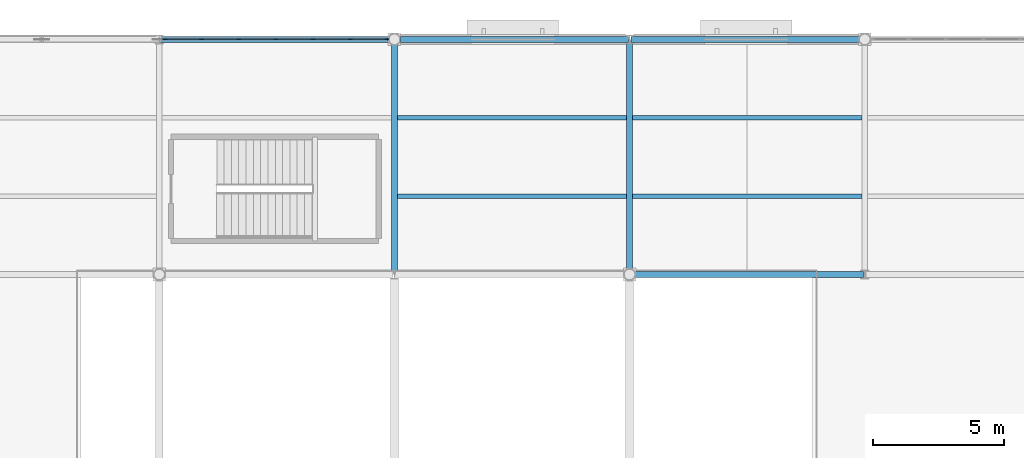
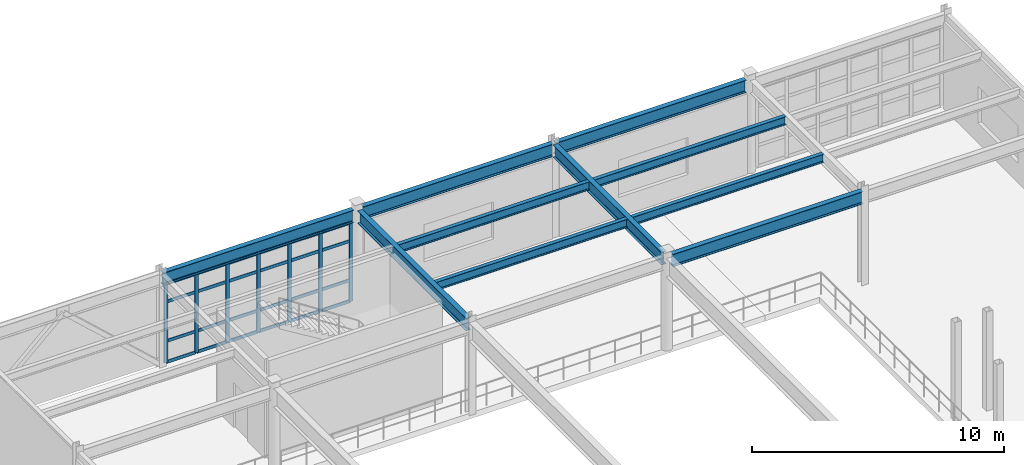
# One storey, part 40 of 86: 31 members, 10 beams, 1 element without a shape of its own.
"""IFC4 building model written with IfcOpenShell, lengths in metres."""

from ifc_helpers import new_model, si_unit, direction, frame, origin, origin_2d, place, context, subcontext, project, spatial, rectangle, i_section, extrude, material, material_profile, profile_set, type_object, element, aggregate, save


model = new_model("IFC4")

# Units and contexts
model_context = context("Model", 3, precision=1e-05, world=origin(), true_north=direction((0.0, 1.0)))
body_context = subcontext(model_context, "Body", "Model", "MODEL_VIEW")
ifc_project = project(units=[si_unit("LENGTHUNIT", "METRE"), si_unit("AREAUNIT", "SQUARE_METRE"), si_unit("VOLUMEUNIT", "CUBIC_METRE"), si_unit("PLANEANGLEUNIT", "RADIAN"), si_unit("MASSUNIT", "GRAM", prefix="KILO")], contexts=[model_context])

# Site, building, storey
site_placement = place(None, origin())
site = spatial("IfcSite", under=ifc_project, at=site_placement, CompositionType="ELEMENT")
building_placement = place(site_placement, origin())
building = spatial("IfcBuilding", under=site, at=building_placement, Name="Glasvene Arena", CompositionType="ELEMENT")
storey_placement = place(building_placement, frame((0.0, 0.0, 5.39990234375)))
storey = spatial("IfcBuildingStorey", under=building, at=storey_placement, Name="L01", CompositionType="ELEMENT", Elevation=5.39990234375)

# Beams
ifc_material_1 = material(Name="Steel S355J2", Category="steel")
ifc_material_profile_1 = material_profile(ifc_material_1, i_section(OverallWidth=0.228271484375, OverallDepth=0.607666015625, WebThickness=0.010986328125, FlangeThickness=0.017333984375, FilletRadius=0.0126953125, at=origin_2d()), Name="UKB 610x229x113")
ifc_profile_set_1 = profile_set([ifc_material_profile_1], Name="Steel S355J2")
beam_type_1 = type_object("IfcBeamType", Name="BM-GIRD-610", PredefinedType="BEAM", material=ifc_profile_set_1)
for number, where, z_axis, x_axis, name in (
    (1, (27.223388671875, 109.0, 4.21630859375), (1.0, 0.0, 0.0), (0.0, 1.0, 0.0), "Primary X girder L01-0584"),
    (2, (9.050048828125, 118.0, 4.21630859375), (1.0, 0.0, 0.0), (0.0, 1.0, 0.0), "Primary X girder L01-0591"),
    (3, (18.223388671875, 118.0, 4.21630859375), (1.0, 0.0, 0.0), (0.0, 1.0, 0.0), "Primary X girder L01-0592"),
    (4, (27.050048828125, 118.0, 4.21630859375), (1.0, 0.0, 0.0), (0.0, 1.0, 0.0), "Primary X girder L01-0593"),
):
    element("IfcBeam", number, at=place(storey_placement, frame(where, z_axis=z_axis, x_axis=x_axis)), inside=storey, type_object=beam_type_1, Name=name, PredefinedType="BEAM", context=body_context, shape_type="SweptSolid", body=[
        extrude(i_section(OverallWidth=0.228271484375, OverallDepth=0.607666015625, WebThickness=0.010986328125, FlangeThickness=0.017333984375, FilletRadius=0.0126953125, at=origin_2d()), origin(), (0.0, 0.0, 1.0), 8.7265625),
    ])
for number, where, z_axis, x_axis, name in (
    (5, (18.0, 109.1552734375, 4.21630859375), (0.0, 1.0, 0.0), (-1.0, 0.0, 0.0), "Primary Y girder L01-0625"),
    (6, (27.0, 109.223388671875, 4.21630859375), (0.0, 1.0, 0.0), (-1.0, 0.0, 0.0), "Primary Y girder L01-0634"),
):
    element("IfcBeam", number, at=place(storey_placement, frame(where, z_axis=z_axis, x_axis=x_axis)), inside=storey, type_object=beam_type_1, Name=name, PredefinedType="BEAM", context=body_context, shape_type="SweptSolid", body=[
        extrude(i_section(OverallWidth=0.228271484375, OverallDepth=0.607666015625, WebThickness=0.010986328125, FlangeThickness=0.017333984375, FilletRadius=0.0126953125, at=origin_2d()), origin(), (0.0, 0.0, 1.0), 8.621337890625),
    ])
ifc_material_profile_2 = material_profile(ifc_material_1, i_section(OverallWidth=0.177978515625, OverallDepth=0.406494140625, WebThickness=0.0078125, FlangeThickness=0.0126953125, FilletRadius=0.01025390625, at=origin_2d()), Name="UKB 406x178x60")
ifc_profile_set_2 = profile_set([ifc_material_profile_2], Name="Steel S355J2")
beam_type_2 = type_object("IfcBeamType", Name="BM-JOIST-406", PredefinedType="JOIST", material=ifc_profile_set_2)
for number, where, z_axis, x_axis, name in (
    (7, (18.110107421875, 112.0, 4.31689453125), (1.0, 0.0, 0.0), (0.0, 1.0, 0.0), "Composite floor joist L01-0711"),
    (8, (18.110107421875, 115.0, 4.31689453125), (1.0, 0.0, 0.0), (0.0, 1.0, 0.0), "Composite floor joist L01-0712"),
    (9, (27.110107421875, 112.0, 4.31689453125), (1.0, 0.0, 0.0), (0.0, 1.0, 0.0), "Composite floor joist L01-0721"),
    (10, (27.110107421875, 115.0, 4.31689453125), (1.0, 0.0, 0.0), (0.0, 1.0, 0.0), "Composite floor joist L01-0722"),
):
    element("IfcBeam", number, at=place(storey_placement, frame(where, z_axis=z_axis, x_axis=x_axis)), inside=storey, type_object=beam_type_2, Name=name, PredefinedType="JOIST", context=body_context, shape_type="SweptSolid", body=[
        extrude(i_section(OverallWidth=0.177978515625, OverallDepth=0.406494140625, WebThickness=0.0078125, FlangeThickness=0.0126953125, FilletRadius=0.01025390625, at=origin_2d()), origin(), (0.0, 0.0, 1.0), 8.77978515625),
    ])

# Curtain wall, members
ifc_material_2 = material(Name="Low-emissivity laminated double glazing", Category="glass")
curtain_wall_type = type_object("IfcCurtainWallType", Name="CW-FAC-L01-853x385", PredefinedType="USERDEFINED", material=ifc_material_2)
curtain_wall_placement = place(storey_placement, frame((9.196533203125, 118.0, 0.0)))
curtain_wall = element("IfcCurtainWall", 11, at=curtain_wall_placement, inside=storey, type_object=curtain_wall_type, Name="Unitised curtain wall CW-F-L01-150-135-1180-1", ObjectType="CURTAIN WALL", PredefinedType="USERDEFINED")
ifc_material_3 = material(Name="Anodised architectural aluminium", Category="aluminium")
ifc_material_profile_3 = material_profile(ifc_material_3, rectangle(XDim=0.050048828125, YDim=0.159912109375, at=origin_2d()), Name="ALU MULLION 50x160")
ifc_profile_set_3 = profile_set([ifc_material_profile_3], Name="Anodised architectural aluminium")
member_type_1 = type_object("IfcMemberType", Name="CW-MUL-150", PredefinedType="MULLION", material=ifc_profile_set_3)
member_1_placement = place(storey_placement, frame((9.2216796875, 118.0, 0.06005859375), z_axis=(0.0, 0.0, 1.0), x_axis=(0.0, 1.0, 0.0)))
member_1 = element("IfcMember", 12, at=member_1_placement, type_object=member_type_1, Name="CW-007 mullion 1", PredefinedType="MULLION", context=body_context, shape_type="SweptSolid", body=[
    extrude(rectangle(XDim=0.050048828125, YDim=0.159912109375, at=origin_2d()), origin(), (0.0, 0.0, 1.0), 3.846923828125),
])
member_2_placement = place(storey_placement, frame((10.61865234375, 118.0, 0.06005859375), z_axis=(0.0, 0.0, 1.0), x_axis=(0.0, 1.0, 0.0)))
member_2 = element("IfcMember", 13, at=member_2_placement, type_object=member_type_1, Name="CW-007 mullion 2", PredefinedType="MULLION", context=body_context, shape_type="SweptSolid", body=[
    extrude(rectangle(XDim=0.050048828125, YDim=0.159912109375, at=origin_2d()), origin(), (0.0, 0.0, 1.0), 3.846923828125),
])
member_3_placement = place(storey_placement, frame((12.041015625, 118.0, 0.06005859375), z_axis=(0.0, 0.0, 1.0), x_axis=(0.0, 1.0, 0.0)))
member_3 = element("IfcMember", 14, at=member_3_placement, type_object=member_type_1, Name="CW-007 mullion 3", PredefinedType="MULLION", context=body_context, shape_type="SweptSolid", body=[
    extrude(rectangle(XDim=0.050048828125, YDim=0.159912109375, at=origin_2d()), origin(), (0.0, 0.0, 1.0), 3.846923828125),
])
member_4_placement = place(storey_placement, frame((13.463134765625, 118.0, 0.06005859375), z_axis=(0.0, 0.0, 1.0), x_axis=(0.0, 1.0, 0.0)))
member_4 = element("IfcMember", 15, at=member_4_placement, type_object=member_type_1, Name="CW-007 mullion 4", PredefinedType="MULLION", context=body_context, shape_type="SweptSolid", body=[
    extrude(rectangle(XDim=0.050048828125, YDim=0.159912109375, at=origin_2d()), origin(), (0.0, 0.0, 1.0), 3.846923828125),
])
member_5_placement = place(storey_placement, frame((14.88525390625, 118.0, 0.06005859375), z_axis=(0.0, 0.0, 1.0), x_axis=(0.0, 1.0, 0.0)))
member_5 = element("IfcMember", 16, at=member_5_placement, type_object=member_type_1, Name="CW-007 mullion 5", PredefinedType="MULLION", context=body_context, shape_type="SweptSolid", body=[
    extrude(rectangle(XDim=0.050048828125, YDim=0.159912109375, at=origin_2d()), origin(), (0.0, 0.0, 1.0), 3.846923828125),
])
member_6_placement = place(storey_placement, frame((16.307373046875, 118.0, 0.06005859375), z_axis=(0.0, 0.0, 1.0), x_axis=(0.0, 1.0, 0.0)))
member_6 = element("IfcMember", 17, at=member_6_placement, type_object=member_type_1, Name="CW-007 mullion 6", PredefinedType="MULLION", context=body_context, shape_type="SweptSolid", body=[
    extrude(rectangle(XDim=0.050048828125, YDim=0.159912109375, at=origin_2d()), origin(), (0.0, 0.0, 1.0), 3.846923828125),
])
member_7_placement = place(storey_placement, frame((17.70458984375, 118.0, 0.06005859375), z_axis=(0.0, 0.0, 1.0), x_axis=(0.0, 1.0, 0.0)))
member_7 = element("IfcMember", 18, at=member_7_placement, type_object=member_type_1, Name="CW-007 mullion 7", PredefinedType="MULLION", context=body_context, shape_type="SweptSolid", body=[
    extrude(rectangle(XDim=0.050048828125, YDim=0.159912109375, at=origin_2d()), origin(), (0.0, 0.0, 1.0), 3.846923828125),
])
ifc_material_profile_4 = material_profile(ifc_material_3, rectangle(XDim=0.050048828125, YDim=0.14990234375, at=origin_2d()), Name="ALU TRANSOM 50x150")
ifc_profile_set_4 = profile_set([ifc_material_profile_4], Name="Anodised architectural aluminium")
member_type_2 = type_object("IfcMemberType", Name="CW-TRN-150", PredefinedType="USERDEFINED", material=ifc_profile_set_4)
member_8_placement = place(storey_placement, frame((9.24658203125, 118.0, 0.085205078125), z_axis=(1.0, 0.0, 0.0), x_axis=(0.0, 1.0, 0.0)))
member_8 = element("IfcMember", 19, at=member_8_placement, type_object=member_type_2, Name="CW-007 transom 1.1", ObjectType="TRANSOM", PredefinedType="USERDEFINED", context=body_context, shape_type="SweptSolid", body=[
    extrude(rectangle(XDim=0.050048828125, YDim=0.14990234375, at=origin_2d()), origin(), (0.0, 0.0, 1.0), 1.34716796875),
])
member_9_placement = place(storey_placement, frame((9.24658203125, 118.0, 1.10009765625), z_axis=(1.0, 0.0, 0.0), x_axis=(0.0, 1.0, 0.0)))
member_9 = element("IfcMember", 20, at=member_9_placement, type_object=member_type_2, Name="CW-007 transom 1.2", ObjectType="TRANSOM", PredefinedType="USERDEFINED", context=body_context, shape_type="SweptSolid", body=[
    extrude(rectangle(XDim=0.050048828125, YDim=0.14990234375, at=origin_2d()), origin(), (0.0, 0.0, 1.0), 1.34716796875),
])
member_10_placement = place(storey_placement, frame((9.24658203125, 118.0, 3.007080078125), z_axis=(1.0, 0.0, 0.0), x_axis=(0.0, 1.0, 0.0)))
member_10 = element("IfcMember", 21, at=member_10_placement, type_object=member_type_2, Name="CW-007 transom 1.3", ObjectType="TRANSOM", PredefinedType="USERDEFINED", context=body_context, shape_type="SweptSolid", body=[
    extrude(rectangle(XDim=0.050048828125, YDim=0.14990234375, at=origin_2d()), origin(), (0.0, 0.0, 1.0), 1.34716796875),
])
member_11_placement = place(storey_placement, frame((9.24658203125, 118.0, 3.882080078125), z_axis=(1.0, 0.0, 0.0), x_axis=(0.0, 1.0, 0.0)))
member_11 = element("IfcMember", 22, at=member_11_placement, type_object=member_type_2, Name="CW-007 transom 1.4", ObjectType="TRANSOM", PredefinedType="USERDEFINED", context=body_context, shape_type="SweptSolid", body=[
    extrude(rectangle(XDim=0.050048828125, YDim=0.14990234375, at=origin_2d()), origin(), (0.0, 0.0, 1.0), 1.34716796875),
])
member_12_placement = place(storey_placement, frame((10.643798828125, 118.0, 0.085205078125), z_axis=(1.0, 0.0, 0.0), x_axis=(0.0, 1.0, 0.0)))
member_12 = element("IfcMember", 23, at=member_12_placement, type_object=member_type_2, Name="CW-007 transom 2.1", ObjectType="TRANSOM", PredefinedType="USERDEFINED", context=body_context, shape_type="SweptSolid", body=[
    extrude(rectangle(XDim=0.050048828125, YDim=0.14990234375, at=origin_2d()), origin(), (0.0, 0.0, 1.0), 1.3720703125),
])
member_13_placement = place(storey_placement, frame((10.643798828125, 118.0, 1.10009765625), z_axis=(1.0, 0.0, 0.0), x_axis=(0.0, 1.0, 0.0)))
member_13 = element("IfcMember", 24, at=member_13_placement, type_object=member_type_2, Name="CW-007 transom 2.2", ObjectType="TRANSOM", PredefinedType="USERDEFINED", context=body_context, shape_type="SweptSolid", body=[
    extrude(rectangle(XDim=0.050048828125, YDim=0.14990234375, at=origin_2d()), origin(), (0.0, 0.0, 1.0), 1.3720703125),
])
member_14_placement = place(storey_placement, frame((10.643798828125, 118.0, 3.007080078125), z_axis=(1.0, 0.0, 0.0), x_axis=(0.0, 1.0, 0.0)))
member_14 = element("IfcMember", 25, at=member_14_placement, type_object=member_type_2, Name="CW-007 transom 2.3", ObjectType="TRANSOM", PredefinedType="USERDEFINED", context=body_context, shape_type="SweptSolid", body=[
    extrude(rectangle(XDim=0.050048828125, YDim=0.14990234375, at=origin_2d()), origin(), (0.0, 0.0, 1.0), 1.3720703125),
])
member_15_placement = place(storey_placement, frame((10.643798828125, 118.0, 3.882080078125), z_axis=(1.0, 0.0, 0.0), x_axis=(0.0, 1.0, 0.0)))
member_15 = element("IfcMember", 26, at=member_15_placement, type_object=member_type_2, Name="CW-007 transom 2.4", ObjectType="TRANSOM", PredefinedType="USERDEFINED", context=body_context, shape_type="SweptSolid", body=[
    extrude(rectangle(XDim=0.050048828125, YDim=0.14990234375, at=origin_2d()), origin(), (0.0, 0.0, 1.0), 1.3720703125),
])
member_16_placement = place(storey_placement, frame((12.06591796875, 118.0, 0.085205078125), z_axis=(1.0, 0.0, 0.0), x_axis=(0.0, 1.0, 0.0)))
member_16 = element("IfcMember", 27, at=member_16_placement, type_object=member_type_2, Name="CW-007 transom 3.1", ObjectType="TRANSOM", PredefinedType="USERDEFINED", context=body_context, shape_type="SweptSolid", body=[
    extrude(rectangle(XDim=0.050048828125, YDim=0.14990234375, at=origin_2d()), origin(), (0.0, 0.0, 1.0), 1.3720703125),
])
member_17_placement = place(storey_placement, frame((12.06591796875, 118.0, 1.10009765625), z_axis=(1.0, 0.0, 0.0), x_axis=(0.0, 1.0, 0.0)))
member_17 = element("IfcMember", 28, at=member_17_placement, type_object=member_type_2, Name="CW-007 transom 3.2", ObjectType="TRANSOM", PredefinedType="USERDEFINED", context=body_context, shape_type="SweptSolid", body=[
    extrude(rectangle(XDim=0.050048828125, YDim=0.14990234375, at=origin_2d()), origin(), (0.0, 0.0, 1.0), 1.3720703125),
])
member_18_placement = place(storey_placement, frame((12.06591796875, 118.0, 3.007080078125), z_axis=(1.0, 0.0, 0.0), x_axis=(0.0, 1.0, 0.0)))
member_18 = element("IfcMember", 29, at=member_18_placement, type_object=member_type_2, Name="CW-007 transom 3.3", ObjectType="TRANSOM", PredefinedType="USERDEFINED", context=body_context, shape_type="SweptSolid", body=[
    extrude(rectangle(XDim=0.050048828125, YDim=0.14990234375, at=origin_2d()), origin(), (0.0, 0.0, 1.0), 1.3720703125),
])
member_19_placement = place(storey_placement, frame((12.06591796875, 118.0, 3.882080078125), z_axis=(1.0, 0.0, 0.0), x_axis=(0.0, 1.0, 0.0)))
member_19 = element("IfcMember", 30, at=member_19_placement, type_object=member_type_2, Name="CW-007 transom 3.4", ObjectType="TRANSOM", PredefinedType="USERDEFINED", context=body_context, shape_type="SweptSolid", body=[
    extrude(rectangle(XDim=0.050048828125, YDim=0.14990234375, at=origin_2d()), origin(), (0.0, 0.0, 1.0), 1.3720703125),
])
member_20_placement = place(storey_placement, frame((13.488037109375, 118.0, 0.085205078125), z_axis=(1.0, 0.0, 0.0), x_axis=(0.0, 1.0, 0.0)))
member_20 = element("IfcMember", 31, at=member_20_placement, type_object=member_type_2, Name="CW-007 transom 4.1", ObjectType="TRANSOM", PredefinedType="USERDEFINED", context=body_context, shape_type="SweptSolid", body=[
    extrude(rectangle(XDim=0.050048828125, YDim=0.14990234375, at=origin_2d()), origin(), (0.0, 0.0, 1.0), 1.3720703125),
])
member_21_placement = place(storey_placement, frame((13.488037109375, 118.0, 1.10009765625), z_axis=(1.0, 0.0, 0.0), x_axis=(0.0, 1.0, 0.0)))
member_21 = element("IfcMember", 32, at=member_21_placement, type_object=member_type_2, Name="CW-007 transom 4.2", ObjectType="TRANSOM", PredefinedType="USERDEFINED", context=body_context, shape_type="SweptSolid", body=[
    extrude(rectangle(XDim=0.050048828125, YDim=0.14990234375, at=origin_2d()), origin(), (0.0, 0.0, 1.0), 1.3720703125),
])
member_22_placement = place(storey_placement, frame((13.488037109375, 118.0, 3.007080078125), z_axis=(1.0, 0.0, 0.0), x_axis=(0.0, 1.0, 0.0)))
member_22 = element("IfcMember", 33, at=member_22_placement, type_object=member_type_2, Name="CW-007 transom 4.3", ObjectType="TRANSOM", PredefinedType="USERDEFINED", context=body_context, shape_type="SweptSolid", body=[
    extrude(rectangle(XDim=0.050048828125, YDim=0.14990234375, at=origin_2d()), origin(), (0.0, 0.0, 1.0), 1.3720703125),
])
member_23_placement = place(storey_placement, frame((13.488037109375, 118.0, 3.882080078125), z_axis=(1.0, 0.0, 0.0), x_axis=(0.0, 1.0, 0.0)))
member_23 = element("IfcMember", 34, at=member_23_placement, type_object=member_type_2, Name="CW-007 transom 4.4", ObjectType="TRANSOM", PredefinedType="USERDEFINED", context=body_context, shape_type="SweptSolid", body=[
    extrude(rectangle(XDim=0.050048828125, YDim=0.14990234375, at=origin_2d()), origin(), (0.0, 0.0, 1.0), 1.3720703125),
])
member_24_placement = place(storey_placement, frame((14.91015625, 118.0, 0.085205078125), z_axis=(1.0, 0.0, 0.0), x_axis=(0.0, 1.0, 0.0)))
member_24 = element("IfcMember", 35, at=member_24_placement, type_object=member_type_2, Name="CW-007 transom 5.1", ObjectType="TRANSOM", PredefinedType="USERDEFINED", context=body_context, shape_type="SweptSolid", body=[
    extrude(rectangle(XDim=0.050048828125, YDim=0.14990234375, at=origin_2d()), origin(), (0.0, 0.0, 1.0), 1.372314453125),
])
member_25_placement = place(storey_placement, frame((14.91015625, 118.0, 1.10009765625), z_axis=(1.0, 0.0, 0.0), x_axis=(0.0, 1.0, 0.0)))
member_25 = element("IfcMember", 36, at=member_25_placement, type_object=member_type_2, Name="CW-007 transom 5.2", ObjectType="TRANSOM", PredefinedType="USERDEFINED", context=body_context, shape_type="SweptSolid", body=[
    extrude(rectangle(XDim=0.050048828125, YDim=0.14990234375, at=origin_2d()), origin(), (0.0, 0.0, 1.0), 1.372314453125),
])
member_26_placement = place(storey_placement, frame((14.91015625, 118.0, 3.007080078125), z_axis=(1.0, 0.0, 0.0), x_axis=(0.0, 1.0, 0.0)))
member_26 = element("IfcMember", 37, at=member_26_placement, type_object=member_type_2, Name="CW-007 transom 5.3", ObjectType="TRANSOM", PredefinedType="USERDEFINED", context=body_context, shape_type="SweptSolid", body=[
    extrude(rectangle(XDim=0.050048828125, YDim=0.14990234375, at=origin_2d()), origin(), (0.0, 0.0, 1.0), 1.372314453125),
])
member_27_placement = place(storey_placement, frame((14.91015625, 118.0, 3.882080078125), z_axis=(1.0, 0.0, 0.0), x_axis=(0.0, 1.0, 0.0)))
member_27 = element("IfcMember", 38, at=member_27_placement, type_object=member_type_2, Name="CW-007 transom 5.4", ObjectType="TRANSOM", PredefinedType="USERDEFINED", context=body_context, shape_type="SweptSolid", body=[
    extrude(rectangle(XDim=0.050048828125, YDim=0.14990234375, at=origin_2d()), origin(), (0.0, 0.0, 1.0), 1.372314453125),
])
member_28_placement = place(storey_placement, frame((16.332275390625, 118.0, 0.085205078125), z_axis=(1.0, 0.0, 0.0), x_axis=(0.0, 1.0, 0.0)))
member_28 = element("IfcMember", 39, at=member_28_placement, type_object=member_type_2, Name="CW-007 transom 6.1", ObjectType="TRANSOM", PredefinedType="USERDEFINED", context=body_context, shape_type="SweptSolid", body=[
    extrude(rectangle(XDim=0.050048828125, YDim=0.14990234375, at=origin_2d()), origin(), (0.0, 0.0, 1.0), 1.34716796875),
])
member_29_placement = place(storey_placement, frame((16.332275390625, 118.0, 1.10009765625), z_axis=(1.0, 0.0, 0.0), x_axis=(0.0, 1.0, 0.0)))
member_29 = element("IfcMember", 40, at=member_29_placement, type_object=member_type_2, Name="CW-007 transom 6.2", ObjectType="TRANSOM", PredefinedType="USERDEFINED", context=body_context, shape_type="SweptSolid", body=[
    extrude(rectangle(XDim=0.050048828125, YDim=0.14990234375, at=origin_2d()), origin(), (0.0, 0.0, 1.0), 1.34716796875),
])
member_30_placement = place(storey_placement, frame((16.332275390625, 118.0, 3.007080078125), z_axis=(1.0, 0.0, 0.0), x_axis=(0.0, 1.0, 0.0)))
member_30 = element("IfcMember", 41, at=member_30_placement, type_object=member_type_2, Name="CW-007 transom 6.3", ObjectType="TRANSOM", PredefinedType="USERDEFINED", context=body_context, shape_type="SweptSolid", body=[
    extrude(rectangle(XDim=0.050048828125, YDim=0.14990234375, at=origin_2d()), origin(), (0.0, 0.0, 1.0), 1.34716796875),
])
member_31_placement = place(storey_placement, frame((16.332275390625, 118.0, 3.882080078125), z_axis=(1.0, 0.0, 0.0), x_axis=(0.0, 1.0, 0.0)))
member_31 = element("IfcMember", 42, at=member_31_placement, type_object=member_type_2, Name="CW-007 transom 6.4", ObjectType="TRANSOM", PredefinedType="USERDEFINED", context=body_context, shape_type="SweptSolid", body=[
    extrude(rectangle(XDim=0.050048828125, YDim=0.14990234375, at=origin_2d()), origin(), (0.0, 0.0, 1.0), 1.34716796875),
])
aggregate(curtain_wall, [member_1, member_2, member_3, member_4, member_5, member_6, member_7, member_8, member_9, member_10, member_11, member_12, member_13, member_14, member_15, member_16, member_17, member_18, member_19, member_20, member_21, member_22, member_23, member_24, member_25, member_26, member_27, member_28, member_29, member_30, member_31])

save(model, "model.ifc")
